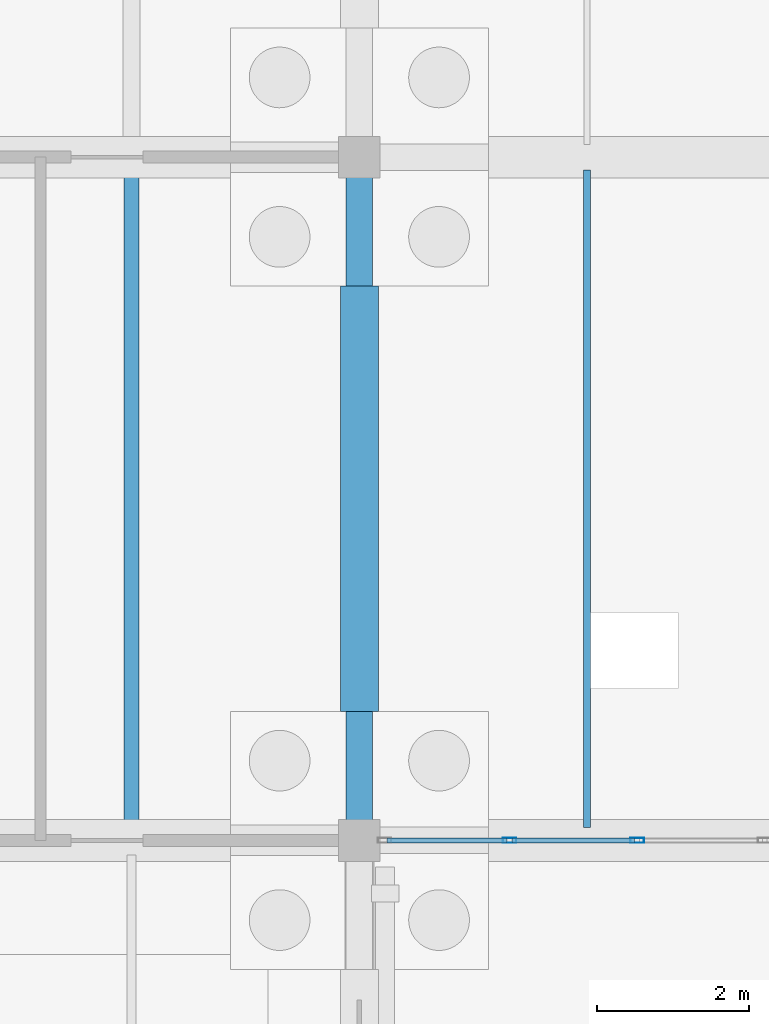
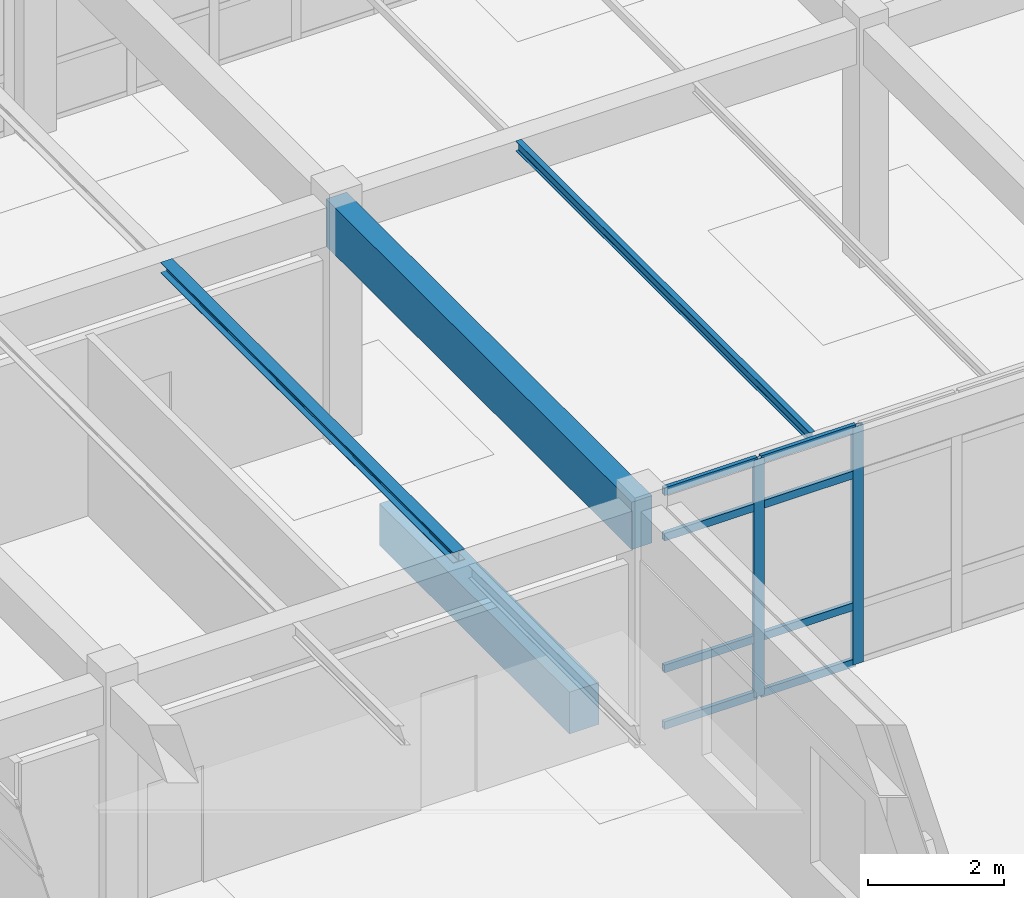
# One storey, part 58 of 186: 10 members, 4 beams, 1 element without a shape of its own.
"""IFC4 building model written with IfcOpenShell, lengths in metres."""

from ifc_helpers import new_model, si_unit, direction, frame, origin, origin_2d, place, context, subcontext, project, spatial, rectangle, hollow_rectangle, i_section, extrude, material, layer, layer_set, material_profile, profile_set, type_object, element, aggregate, save


model = new_model("IFC4")

# Units and contexts
model_context = context("Model", 3, precision=1e-05, world=origin(), true_north=direction((0.0, 1.0)))
body_context = subcontext(model_context, "Body", "Model", "MODEL_VIEW")
ifc_project = project(units=[si_unit("LENGTHUNIT", "METRE"), si_unit("AREAUNIT", "SQUARE_METRE"), si_unit("VOLUMEUNIT", "CUBIC_METRE"), si_unit("PLANEANGLEUNIT", "RADIAN"), si_unit("MASSUNIT", "GRAM", prefix="KILO")], contexts=[model_context])

# Site, building, storey
site_placement = place(None, origin())
site = spatial("IfcSite", under=ifc_project, at=site_placement, CompositionType="ELEMENT")
building_placement = place(site_placement, origin())
building = spatial("IfcBuilding", under=site, at=building_placement, Name="Ornek Quay Market", CompositionType="ELEMENT")
storey_placement = place(building_placement, origin())
storey = spatial("IfcBuildingStorey", under=building, at=storey_placement, Name="L00", CompositionType="ELEMENT", Elevation=0.0)

# Beams
ifc_material_1 = material(Name="Concrete C35/45", Category="concrete")
ifc_material_profile_1 = material_profile(ifc_material_1, rectangle(XDim=0.5, YDim=0.75, at=origin_2d()), Name="RC 500x750", Category="concrete")
ifc_profile_set_1 = profile_set([ifc_material_profile_1], Name="Concrete C35/45")
beam_type_1 = type_object("IfcBeamType", Name="BM-GB-500x750", PredefinedType="BEAM", material=ifc_profile_set_1)
beam_1_placement = place(storey_placement, frame((27.0, 93.699951171875, -0.574951171875), z_axis=(0.0, 1.0, 0.0), x_axis=(-1.0, 0.0, 0.0)))
element("IfcBeam", 1, at=beam_1_placement, inside=storey, type_object=beam_type_1, Name="Ground tie beam GB-085", PredefinedType="BEAM", context=body_context, shape_type="SweptSolid", body=[
    extrude(rectangle(XDim=0.5, YDim=0.75, at=origin_2d()), origin(), (0.0, 0.0, 1.0), 5.60009765625),
])
ifc_material_2 = material(Name="Concrete C40/50", Category="concrete")
ifc_material_profile_2 = material_profile(ifc_material_2, rectangle(XDim=0.35009765625, YDim=0.85009765625, at=origin_2d()), Name="RC 350x850", Category="concrete")
ifc_profile_set_2 = profile_set([ifc_material_profile_2], Name="Concrete C40/50")
beam_type_2 = type_object("IfcBeamType", Name="BM-SPN-350x850", PredefinedType="SPANDREL", material=ifc_profile_set_2)
beam_2_placement = place(storey_placement, frame((27.0, 92.0, 3.794921875), z_axis=(0.0, 1.0, 0.0), x_axis=(-1.0, 0.0, 0.0)))
element("IfcBeam", 2, at=beam_2_placement, inside=storey, type_object=beam_type_2, Name="Primary beam B-SP1-068", PredefinedType="SPANDREL", context=body_context, shape_type="SweptSolid", body=[
    extrude(rectangle(XDim=0.35009765625, YDim=0.85009765625, at=origin_2d()), origin(), (0.0, 0.0, 1.0), 9.0),
])
ifc_material_3 = material(Name="Steel S355", Category="steel")
ifc_material_profile_3 = material_profile(ifc_material_3, i_section(OverallWidth=0.199951171875, OverallDepth=0.18994140625, WebThickness=0.006591796875, FlangeThickness=0.010009765625, FilletRadius=0.01806640625, at=origin_2d()), Name="HEA 200", Category="steel")
ifc_profile_set_3 = profile_set([ifc_material_profile_3], Name="Steel S355")
beam_type_3 = type_object("IfcBeamType", Name="BM-STL-HEA200", PredefinedType="BEAM", material=ifc_profile_set_3)
beam_3_placement = place(storey_placement, frame((24.0, 92.19189453125, 4.125), z_axis=(0.0, 1.0, 0.0), x_axis=(-1.0, 0.0, 0.0)))
element("IfcBeam", 3, at=beam_3_placement, inside=storey, type_object=beam_type_3, Name="Secondary joist SB-12-014", PredefinedType="BEAM", context=body_context, shape_type="SweptSolid", body=[
    extrude(i_section(OverallWidth=0.199951171875, OverallDepth=0.18994140625, WebThickness=0.006591796875, FlangeThickness=0.010009765625, FilletRadius=0.01806640625, at=origin_2d()), origin(), (0.0, 0.0, 1.0), 8.6162109375),
])
ifc_material_profile_4 = material_profile(ifc_material_3, i_section(OverallWidth=0.091064453125, OverallDepth=0.179931640625, WebThickness=0.00537109375, FlangeThickness=0.008056640625, FilletRadius=0.009033203125, at=origin_2d()), Name="IPE 180", Category="steel")
ifc_profile_set_4 = profile_set([ifc_material_profile_4], Name="Steel S355")
beam_type_4 = type_object("IfcBeamType", Name="BM-STL-IPE180", PredefinedType="JOIST", material=ifc_profile_set_4)
beam_4_placement = place(storey_placement, frame((30.0, 92.1669921875, 4.179931640625), z_axis=(0.0, 1.0, 0.0), x_axis=(-1.0, 0.0, 0.0)))
element("IfcBeam", 4, at=beam_4_placement, inside=storey, type_object=beam_type_4, Name="Secondary joist SB-01-001", PredefinedType="JOIST", context=body_context, shape_type="SweptSolid", body=[
    extrude(i_section(OverallWidth=0.091064453125, OverallDepth=0.179931640625, WebThickness=0.00537109375, FlangeThickness=0.008056640625, FilletRadius=0.009033203125, at=origin_2d()), origin(), (0.0, 0.0, 1.0), 8.666015625),
])

# Curtain wall, members
ifc_material_4 = material(Name="Anodised bronze aluminium and triple low-e glass", Category="aluminium")
ifc_layer = layer(ifc_material_4, 0.199951171875, Name="Anodised bronze aluminium and triple low-e glass", Category="aluminium")
ifc_layer_set = layer_set([ifc_layer], Name="Anodised bronze aluminium and triple low-e glass")
curtain_wall_type = type_object("IfcCurtainWallType", Name="CW-CONC-MOD1800", PredefinedType="USERDEFINED", material=ifc_layer_set)
curtain_wall_placement = place(storey_placement, origin())
curtain_wall = element("IfcCurtainWall", 5, at=curtain_wall_placement, inside=storey, type_object=curtain_wall_type, Name="Curtain wall CW-006", ObjectType="CURTAIN WALL", PredefinedType="USERDEFINED")
ifc_material_5 = material(Name="Anodised aluminium 6063-T6", Category="aluminium")
ifc_material_profile_5 = material_profile(ifc_material_5, hollow_rectangle(XDim=0.06494140625, YDim=0.179931640625, WallThickness=0.00439453125, at=origin_2d()), Name="CW-MUL-65x180", Category="aluminium")
ifc_profile_set_5 = profile_set([ifc_material_profile_5], Name="Anodised aluminium 6063-T6")
member_type_1 = type_object("IfcMemberType", Name="CW-MUL-65x180", PredefinedType="MULLION", material=ifc_profile_set_5)
member_1_placement = place(storey_placement, frame((28.97998046875, 92.0, 0.0), z_axis=(0.0, 0.0, 1.0), x_axis=(0.0, 1.0, 0.0)))
member_1 = element("IfcMember", 6, at=member_1_placement, type_object=member_type_1, Name="CW-006 mullion 2", PredefinedType="MULLION", context=body_context, shape_type="SweptSolid", body=[
    extrude(hollow_rectangle(XDim=0.06494140625, YDim=0.179931640625, WallThickness=0.00439453125, at=origin_2d()), origin(), (0.0, 0.0, 1.0), 4.27001953125),
])
member_2_placement = place(storey_placement, frame((30.659912109375, 92.0, 0.0), z_axis=(0.0, 0.0, 1.0), x_axis=(0.0, 1.0, 0.0)))
member_2 = element("IfcMember", 7, at=member_2_placement, type_object=member_type_1, Name="CW-006 mullion 3", PredefinedType="MULLION", context=body_context, shape_type="SweptSolid", body=[
    extrude(hollow_rectangle(XDim=0.06494140625, YDim=0.179931640625, WallThickness=0.00439453125, at=origin_2d()), origin(), (0.0, 0.0, 1.0), 4.27001953125),
])
ifc_material_profile_6 = material_profile(ifc_material_5, hollow_rectangle(XDim=0.06494140625, YDim=0.139892578125, WallThickness=0.00439453125, at=origin_2d()), Name="CW-TRN-65x140", Category="aluminium")
ifc_profile_set_6 = profile_set([ifc_material_profile_6], Name="Anodised aluminium 6063-T6")
member_type_2 = type_object("IfcMemberType", Name="CW-TRN-65x140", PredefinedType="USERDEFINED", material=ifc_profile_set_6)
member_3_placement = place(storey_placement, frame((27.364990234375, 92.0, 0.032470703125), z_axis=(1.0, 0.0, 0.0), x_axis=(0.0, 1.0, 0.0)))
member_3 = element("IfcMember", 8, at=member_3_placement, type_object=member_type_2, Name="CW-006 transom 1.1", ObjectType="TRANSOM", PredefinedType="USERDEFINED", context=body_context, shape_type="SweptSolid", body=[
    extrude(hollow_rectangle(XDim=0.06494140625, YDim=0.139892578125, WallThickness=0.00439453125, at=origin_2d()), origin(), (0.0, 0.0, 1.0), 1.58251953125),
])
member_4_placement = place(storey_placement, frame((27.364990234375, 92.0, 1.050048828125), z_axis=(1.0, 0.0, 0.0), x_axis=(0.0, 1.0, 0.0)))
member_4 = element("IfcMember", 9, at=member_4_placement, type_object=member_type_2, Name="CW-006 transom 1.2", ObjectType="TRANSOM", PredefinedType="USERDEFINED", context=body_context, shape_type="SweptSolid", body=[
    extrude(hollow_rectangle(XDim=0.06494140625, YDim=0.139892578125, WallThickness=0.00439453125, at=origin_2d()), origin(), (0.0, 0.0, 1.0), 1.58251953125),
])
member_5_placement = place(storey_placement, frame((27.364990234375, 92.0, 3.419921875), z_axis=(1.0, 0.0, 0.0), x_axis=(0.0, 1.0, 0.0)))
member_5 = element("IfcMember", 10, at=member_5_placement, type_object=member_type_2, Name="CW-006 transom 1.3", ObjectType="TRANSOM", PredefinedType="USERDEFINED", context=body_context, shape_type="SweptSolid", body=[
    extrude(hollow_rectangle(XDim=0.06494140625, YDim=0.139892578125, WallThickness=0.00439453125, at=origin_2d()), origin(), (0.0, 0.0, 1.0), 1.58251953125),
])
member_6_placement = place(storey_placement, frame((27.364990234375, 92.0, 4.237548828125), z_axis=(1.0, 0.0, 0.0), x_axis=(0.0, 1.0, 0.0)))
member_6 = element("IfcMember", 11, at=member_6_placement, type_object=member_type_2, Name="CW-006 transom 1.4", ObjectType="TRANSOM", PredefinedType="USERDEFINED", context=body_context, shape_type="SweptSolid", body=[
    extrude(hollow_rectangle(XDim=0.06494140625, YDim=0.139892578125, WallThickness=0.00439453125, at=origin_2d()), origin(), (0.0, 0.0, 1.0), 1.58251953125),
])
member_7_placement = place(storey_placement, frame((29.012451171875, 92.0, 0.032470703125), z_axis=(1.0, 0.0, 0.0), x_axis=(0.0, 1.0, 0.0)))
member_7 = element("IfcMember", 12, at=member_7_placement, type_object=member_type_2, Name="CW-006 transom 2.1", ObjectType="TRANSOM", PredefinedType="USERDEFINED", context=body_context, shape_type="SweptSolid", body=[
    extrude(hollow_rectangle(XDim=0.06494140625, YDim=0.139892578125, WallThickness=0.00439453125, at=origin_2d()), origin(), (0.0, 0.0, 1.0), 1.614990234375),
])
member_8_placement = place(storey_placement, frame((29.012451171875, 92.0, 1.050048828125), z_axis=(1.0, 0.0, 0.0), x_axis=(0.0, 1.0, 0.0)))
member_8 = element("IfcMember", 13, at=member_8_placement, type_object=member_type_2, Name="CW-006 transom 2.2", ObjectType="TRANSOM", PredefinedType="USERDEFINED", context=body_context, shape_type="SweptSolid", body=[
    extrude(hollow_rectangle(XDim=0.06494140625, YDim=0.139892578125, WallThickness=0.00439453125, at=origin_2d()), origin(), (0.0, 0.0, 1.0), 1.614990234375),
])
member_9_placement = place(storey_placement, frame((29.012451171875, 92.0, 3.419921875), z_axis=(1.0, 0.0, 0.0), x_axis=(0.0, 1.0, 0.0)))
member_9 = element("IfcMember", 14, at=member_9_placement, type_object=member_type_2, Name="CW-006 transom 2.3", ObjectType="TRANSOM", PredefinedType="USERDEFINED", context=body_context, shape_type="SweptSolid", body=[
    extrude(hollow_rectangle(XDim=0.06494140625, YDim=0.139892578125, WallThickness=0.00439453125, at=origin_2d()), origin(), (0.0, 0.0, 1.0), 1.614990234375),
])
member_10_placement = place(storey_placement, frame((29.012451171875, 92.0, 4.237548828125), z_axis=(1.0, 0.0, 0.0), x_axis=(0.0, 1.0, 0.0)))
member_10 = element("IfcMember", 15, at=member_10_placement, type_object=member_type_2, Name="CW-006 transom 2.4", ObjectType="TRANSOM", PredefinedType="USERDEFINED", context=body_context, shape_type="SweptSolid", body=[
    extrude(hollow_rectangle(XDim=0.06494140625, YDim=0.139892578125, WallThickness=0.00439453125, at=origin_2d()), origin(), (0.0, 0.0, 1.0), 1.614990234375),
])
aggregate(curtain_wall, [member_1, member_2, member_3, member_4, member_5, member_6, member_7, member_8, member_9, member_10])

save(model, "model.ifc")
